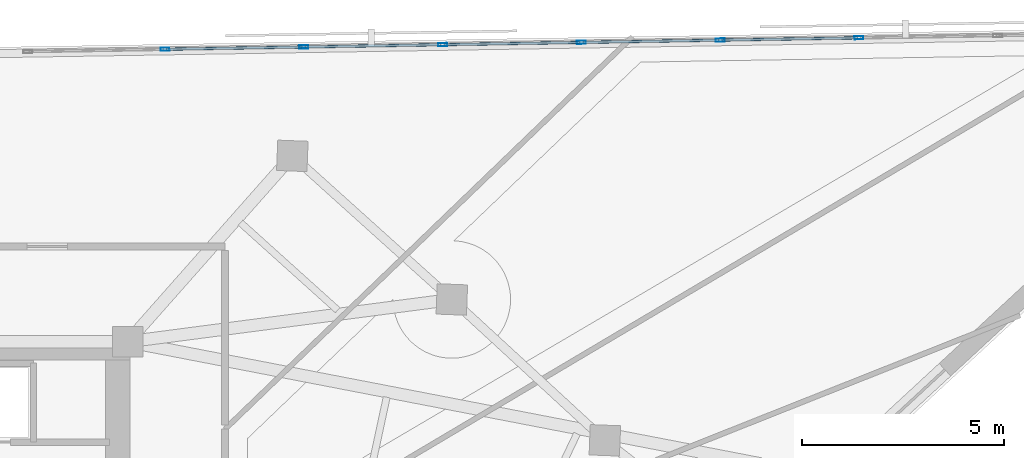
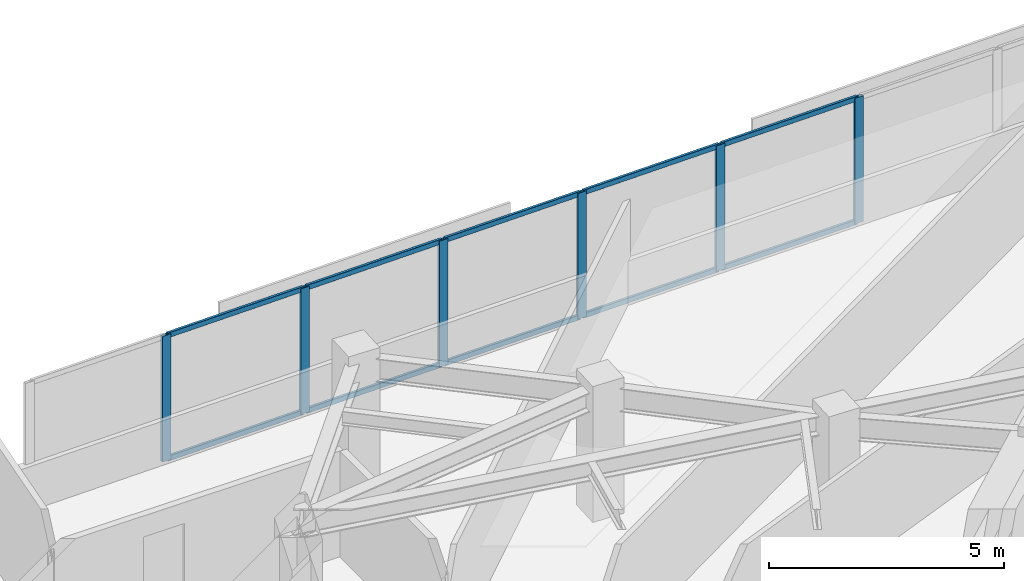
# One storey, part 5 of 13: 16 members, 1 element without a shape of its own.
"""IFC4 building model written with IfcOpenShell, lengths in metres."""

from ifc_helpers import new_model, si_unit, direction, frame, origin, origin_2d, place, context, subcontext, project, spatial, hollow_rectangle, extrude, material, material_profile, profile_set, type_object, element, aggregate, save


model = new_model("IFC4")

# Units and contexts
model_context = context("Model", 3, precision=1e-05, world=origin(), true_north=direction((0.0, 1.0)))
body_context = subcontext(model_context, "Body", "Model", "MODEL_VIEW")
ifc_project = project(units=[si_unit("LENGTHUNIT", "METRE"), si_unit("AREAUNIT", "SQUARE_METRE"), si_unit("VOLUMEUNIT", "CUBIC_METRE"), si_unit("PLANEANGLEUNIT", "RADIAN"), si_unit("MASSUNIT", "GRAM", prefix="KILO")], contexts=[model_context])

# Site, building, storey
site_placement = place(None, origin())
site = spatial("IfcSite", under=ifc_project, at=site_placement, CompositionType="ELEMENT")
building_placement = place(site_placement, origin())
building = spatial("IfcBuilding", under=site, at=building_placement, Name="Narakoshi Arena Tower", CompositionType="ELEMENT")
storey_placement = place(building_placement, frame((0.0, 0.0, 274.820068359375)))
storey = spatial("IfcBuildingStorey", under=building, at=storey_placement, Name="L75", CompositionType="ELEMENT", Elevation=274.820068359375)

# Curtain wall, members
ifc_material = material(Name="Anodised bronze aluminium 6063-T6", Category="aluminium")
curtain_wall_type = type_object("IfcCurtainWallType", Name="CW-HYP-HIGH", PredefinedType="NOTDEFINED", material=ifc_material)
curtain_wall_placement = place(storey_placement, origin())
curtain_wall = element("IfcCurtainWall", 1, at=curtain_wall_placement, inside=storey, type_object=curtain_wall_type, Name="L75 Folded Hypotenuse Curtain Wall 1-1", PredefinedType="NOTDEFINED")
ifc_material_profile_1 = material_profile(ifc_material, hollow_rectangle(XDim=0.080078125, YDim=0.219970703125, WallThickness=0.0048828125, OuterFilletRadius=0.006103515625, at=origin_2d()), Name="MUL220x80x5")
ifc_profile_set_1 = profile_set([ifc_material_profile_1], Name="Anodised bronze aluminium 6063-T6")
member_type_1 = type_object("IfcMemberType", Name="MEM-MUL-220", PredefinedType="MULLION", material=ifc_profile_set_1)
member_1_placement = place(storey_placement, frame((103.604248046875, 64.005615234375, 0.0), z_axis=(0.0, 0.0, 1.0), x_axis=(0.016442997569, -0.999864804777, 0.0)))
member_1 = element("IfcMember", 2, at=member_1_placement, type_object=member_type_1, Name="CW-03 mullion 3", PredefinedType="MULLION", context=body_context, shape_type="SweptSolid", body=[
    extrude(hollow_rectangle(XDim=0.080078125, YDim=0.219970703125, WallThickness=0.0048828125, OuterFilletRadius=0.006103515625, at=origin_2d()), origin(), (0.0, 0.0, 1.0), 3.260009765625),
])
member_2_placement = place(storey_placement, frame((100.177001953125, 63.94921875, 0.0), z_axis=(0.0, 0.0, 1.0), x_axis=(0.016442997569, -0.999864804777, 0.0)))
member_2 = element("IfcMember", 3, at=member_2_placement, type_object=member_type_1, Name="CW-03 mullion 4", PredefinedType="MULLION", context=body_context, shape_type="SweptSolid", body=[
    extrude(hollow_rectangle(XDim=0.080078125, YDim=0.219970703125, WallThickness=0.0048828125, OuterFilletRadius=0.006103515625, at=origin_2d()), origin(), (0.0, 0.0, 1.0), 3.260009765625),
])
member_3_placement = place(storey_placement, frame((96.749755859375, 63.89306640625, 0.0), z_axis=(0.0, 0.0, 1.0), x_axis=(0.016442997569, -0.999864804777, 0.0)))
member_3 = element("IfcMember", 4, at=member_3_placement, type_object=member_type_1, Name="CW-03 mullion 5", PredefinedType="MULLION", context=body_context, shape_type="SweptSolid", body=[
    extrude(hollow_rectangle(XDim=0.080078125, YDim=0.219970703125, WallThickness=0.0048828125, OuterFilletRadius=0.006103515625, at=origin_2d()), origin(), (0.0, 0.0, 1.0), 3.260009765625),
])
member_4_placement = place(storey_placement, frame((93.322509765625, 63.836669921875, 0.0), z_axis=(0.0, 0.0, 1.0), x_axis=(0.016442997569, -0.999864804777, 0.0)))
member_4 = element("IfcMember", 5, at=member_4_placement, type_object=member_type_1, Name="CW-03 mullion 6", PredefinedType="MULLION", context=body_context, shape_type="SweptSolid", body=[
    extrude(hollow_rectangle(XDim=0.080078125, YDim=0.219970703125, WallThickness=0.0048828125, OuterFilletRadius=0.006103515625, at=origin_2d()), origin(), (0.0, 0.0, 1.0), 3.260009765625),
])
member_5_placement = place(storey_placement, frame((89.895263671875, 63.7802734375, 0.0), z_axis=(0.0, 0.0, 1.0), x_axis=(0.016442997569, -0.999864804777, 0.0)))
member_5 = element("IfcMember", 6, at=member_5_placement, type_object=member_type_1, Name="CW-03 mullion 7", PredefinedType="MULLION", context=body_context, shape_type="SweptSolid", body=[
    extrude(hollow_rectangle(XDim=0.080078125, YDim=0.219970703125, WallThickness=0.0048828125, OuterFilletRadius=0.006103515625, at=origin_2d()), origin(), (0.0, 0.0, 1.0), 3.260009765625),
])
member_6_placement = place(storey_placement, frame((86.4677734375, 63.723876953125, 0.0), z_axis=(0.0, 0.0, 1.0), x_axis=(0.016442997569, -0.999864804777, 0.0)))
member_6 = element("IfcMember", 7, at=member_6_placement, type_object=member_type_1, Name="CW-03 mullion 8", PredefinedType="MULLION", context=body_context, shape_type="SweptSolid", body=[
    extrude(hollow_rectangle(XDim=0.080078125, YDim=0.219970703125, WallThickness=0.0048828125, OuterFilletRadius=0.006103515625, at=origin_2d()), origin(), (0.0, 0.0, 1.0), 3.260009765625),
])
ifc_material_profile_2 = material_profile(ifc_material, hollow_rectangle(XDim=0.06494140625, YDim=0.1298828125, WallThickness=0.00390625, OuterFilletRadius=0.0048828125, at=origin_2d()), Name="TRN130x65x4")
ifc_profile_set_2 = profile_set([ifc_material_profile_2], Name="Anodised bronze aluminium 6063-T6")
member_type_2 = type_object("IfcMemberType", Name="MEM-TRN-130", PredefinedType="USERDEFINED", material=ifc_profile_set_2)
member_7_placement = place(storey_placement, frame((103.564208984375, 64.005126953125, 0.032470703125), z_axis=(-0.999864161313, -0.016482078808, 0.0), x_axis=(0.016482078808, -0.999864161313, 0.0)))
member_7 = element("IfcMember", 8, at=member_7_placement, type_object=member_type_2, Name="CW-03 transom 3.1", ObjectType="TRANSOM", PredefinedType="USERDEFINED", context=body_context, shape_type="SweptSolid", body=[
    extrude(hollow_rectangle(XDim=0.06494140625, YDim=0.1298828125, WallThickness=0.00390625, OuterFilletRadius=0.0048828125, at=origin_2d()), origin(), (0.0, 0.0, 1.0), 3.34765625),
])
member_8_placement = place(storey_placement, frame((103.564208984375, 64.005126953125, 3.2275390625), z_axis=(-0.999864161313, -0.016482078808, 0.0), x_axis=(0.016482078808, -0.999864161313, 0.0)))
member_8 = element("IfcMember", 9, at=member_8_placement, type_object=member_type_2, Name="CW-03 transom 3.2", ObjectType="TRANSOM", PredefinedType="USERDEFINED", context=body_context, shape_type="SweptSolid", body=[
    extrude(hollow_rectangle(XDim=0.06494140625, YDim=0.1298828125, WallThickness=0.00390625, OuterFilletRadius=0.0048828125, at=origin_2d()), origin(), (0.0, 0.0, 1.0), 3.34765625),
])
member_9_placement = place(storey_placement, frame((100.136962890625, 63.94873046875, 0.032470703125), z_axis=(-0.999864161313, -0.016482078808, 0.0), x_axis=(0.016482078808, -0.999864161313, 0.0)))
member_9 = element("IfcMember", 10, at=member_9_placement, type_object=member_type_2, Name="CW-03 transom 4.1", ObjectType="TRANSOM", PredefinedType="USERDEFINED", context=body_context, shape_type="SweptSolid", body=[
    extrude(hollow_rectangle(XDim=0.06494140625, YDim=0.1298828125, WallThickness=0.00390625, OuterFilletRadius=0.0048828125, at=origin_2d()), origin(), (0.0, 0.0, 1.0), 3.34765625),
])
member_10_placement = place(storey_placement, frame((100.136962890625, 63.94873046875, 3.2275390625), z_axis=(-0.999864161313, -0.016482078808, 0.0), x_axis=(0.016482078808, -0.999864161313, 0.0)))
member_10 = element("IfcMember", 11, at=member_10_placement, type_object=member_type_2, Name="CW-03 transom 4.2", ObjectType="TRANSOM", PredefinedType="USERDEFINED", context=body_context, shape_type="SweptSolid", body=[
    extrude(hollow_rectangle(XDim=0.06494140625, YDim=0.1298828125, WallThickness=0.00390625, OuterFilletRadius=0.0048828125, at=origin_2d()), origin(), (0.0, 0.0, 1.0), 3.34765625),
])
member_11_placement = place(storey_placement, frame((96.709716796875, 63.892333984375, 0.032470703125), z_axis=(-0.999864161313, -0.016482078808, 0.0), x_axis=(0.016482078808, -0.999864161313, 0.0)))
member_11 = element("IfcMember", 12, at=member_11_placement, type_object=member_type_2, Name="CW-03 transom 5.1", ObjectType="TRANSOM", PredefinedType="USERDEFINED", context=body_context, shape_type="SweptSolid", body=[
    extrude(hollow_rectangle(XDim=0.06494140625, YDim=0.1298828125, WallThickness=0.00390625, OuterFilletRadius=0.0048828125, at=origin_2d()), origin(), (0.0, 0.0, 1.0), 3.34765625),
])
member_12_placement = place(storey_placement, frame((96.709716796875, 63.892333984375, 3.2275390625), z_axis=(-0.999864161313, -0.016482078808, 0.0), x_axis=(0.016482078808, -0.999864161313, 0.0)))
member_12 = element("IfcMember", 13, at=member_12_placement, type_object=member_type_2, Name="CW-03 transom 5.2", ObjectType="TRANSOM", PredefinedType="USERDEFINED", context=body_context, shape_type="SweptSolid", body=[
    extrude(hollow_rectangle(XDim=0.06494140625, YDim=0.1298828125, WallThickness=0.00390625, OuterFilletRadius=0.0048828125, at=origin_2d()), origin(), (0.0, 0.0, 1.0), 3.34765625),
])
member_13_placement = place(storey_placement, frame((93.282470703125, 63.8359375, 0.032470703125), z_axis=(-0.999864181123, -0.016480877028, 0.0), x_axis=(0.016480877028, -0.999864181123, 0.0)))
member_13 = element("IfcMember", 14, at=member_13_placement, type_object=member_type_2, Name="CW-03 transom 6.1", ObjectType="TRANSOM", PredefinedType="USERDEFINED", context=body_context, shape_type="SweptSolid", body=[
    extrude(hollow_rectangle(XDim=0.06494140625, YDim=0.1298828125, WallThickness=0.00390625, OuterFilletRadius=0.0048828125, at=origin_2d()), origin(), (0.0, 0.0, 1.0), 3.347900390625),
])
member_14_placement = place(storey_placement, frame((93.282470703125, 63.8359375, 3.2275390625), z_axis=(-0.999864181123, -0.016480877028, 0.0), x_axis=(0.016480877028, -0.999864181123, 0.0)))
member_14 = element("IfcMember", 15, at=member_14_placement, type_object=member_type_2, Name="CW-03 transom 6.2", ObjectType="TRANSOM", PredefinedType="USERDEFINED", context=body_context, shape_type="SweptSolid", body=[
    extrude(hollow_rectangle(XDim=0.06494140625, YDim=0.1298828125, WallThickness=0.00390625, OuterFilletRadius=0.0048828125, at=origin_2d()), origin(), (0.0, 0.0, 1.0), 3.347900390625),
])
member_15_placement = place(storey_placement, frame((89.855224609375, 63.779541015625, 0.032470703125), z_axis=(-0.999865380158, -0.01640797247, 0.0), x_axis=(0.01640797247, -0.999865380158, 0.0)))
member_15 = element("IfcMember", 16, at=member_15_placement, type_object=member_type_2, Name="CW-03 transom 7.1", ObjectType="TRANSOM", PredefinedType="USERDEFINED", context=body_context, shape_type="SweptSolid", body=[
    extrude(hollow_rectangle(XDim=0.06494140625, YDim=0.1298828125, WallThickness=0.00390625, OuterFilletRadius=0.0048828125, at=origin_2d()), origin(), (0.0, 0.0, 1.0), 3.347900390625),
])
member_16_placement = place(storey_placement, frame((89.855224609375, 63.779541015625, 3.2275390625), z_axis=(-0.999865380158, -0.01640797247, 0.0), x_axis=(0.01640797247, -0.999865380158, 0.0)))
member_16 = element("IfcMember", 17, at=member_16_placement, type_object=member_type_2, Name="CW-03 transom 7.2", ObjectType="TRANSOM", PredefinedType="USERDEFINED", context=body_context, shape_type="SweptSolid", body=[
    extrude(hollow_rectangle(XDim=0.06494140625, YDim=0.1298828125, WallThickness=0.00390625, OuterFilletRadius=0.0048828125, at=origin_2d()), origin(), (0.0, 0.0, 1.0), 3.347900390625),
])
aggregate(curtain_wall, [member_1, member_2, member_3, member_4, member_5, member_6, member_7, member_8, member_9, member_10, member_11, member_12, member_13, member_14, member_15, member_16])

save(model, "model.ifc")
